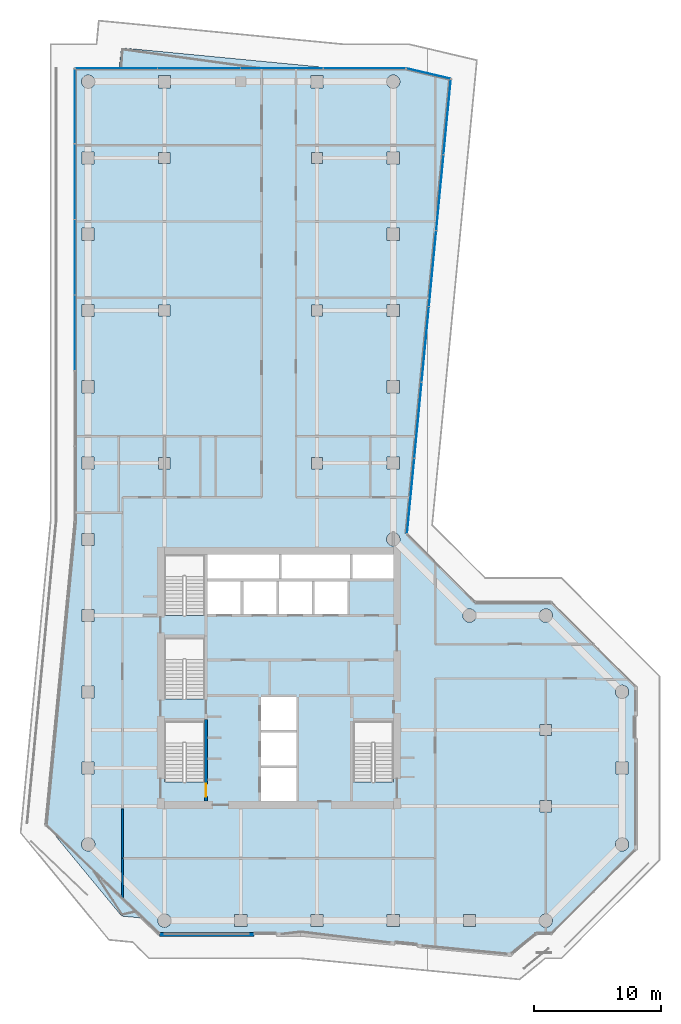
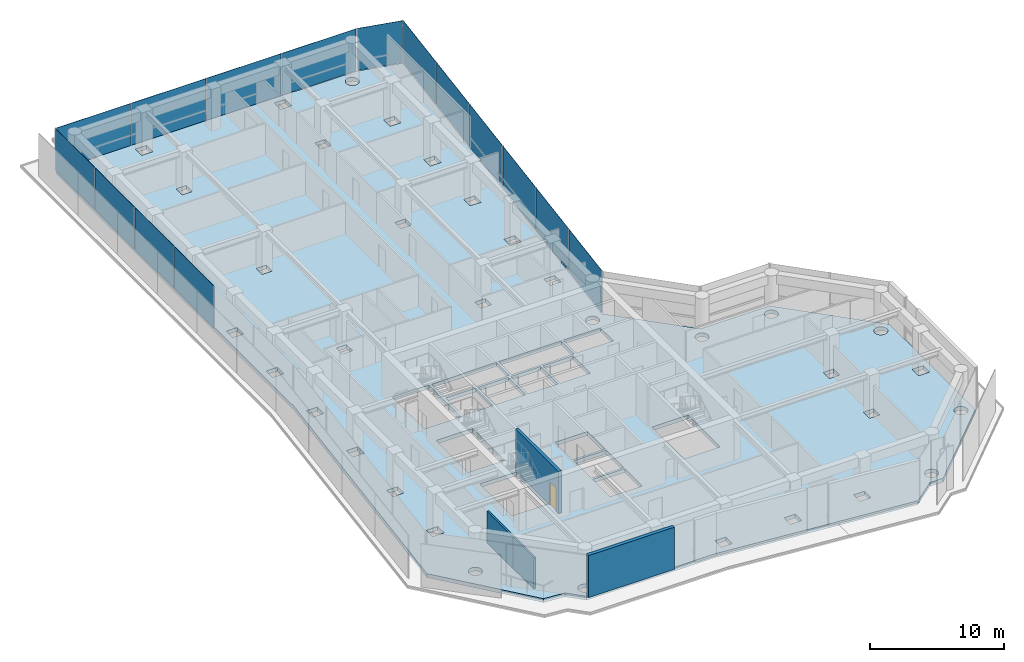
# One storey, part 18 of 23: 15 plates, 4 walls, 1 door, 1 slab, 1 opening, 4 elements without a shape of their own.
"""IFC4 building model written with IfcOpenShell, lengths in metres."""

from ifc_helpers import new_model, si_unit, direction, frame, frame_2d, origin, origin_2d, place, context, subcontext, project, spatial, polyline, rectangle, outline, extrude, material, layer, layer_set, type_object, element, fill, aggregate, save


model = new_model("IFC4")

# Units and contexts
model_context = context("Model", 3, precision=1e-05, world=origin(), true_north=direction((0.0, 1.0)))
body_context = subcontext(model_context, "Body", "Model", "MODEL_VIEW")
ifc_project = project(units=[si_unit("LENGTHUNIT", "METRE"), si_unit("AREAUNIT", "SQUARE_METRE"), si_unit("VOLUMEUNIT", "CUBIC_METRE"), si_unit("PLANEANGLEUNIT", "RADIAN"), si_unit("MASSUNIT", "GRAM", prefix="KILO")], contexts=[model_context])

# Site, building, storey
site_placement = place(None, origin())
site = spatial("IfcSite", under=ifc_project, at=site_placement, CompositionType="ELEMENT")
building_placement = place(site_placement, origin())
building = spatial("IfcBuilding", under=site, at=building_placement, Name="Welwitschia Terrace Campus", CompositionType="ELEMENT")
storey_placement = place(building_placement, frame((0.0, 0.0, 146.60009765625)))
storey = spatial("IfcBuildingStorey", under=building, at=storey_placement, Name="L32", CompositionType="ELEMENT", Elevation=146.60009765625)

# Curtain wall, plates
ifc_material_1 = material(Name="Bronze anodised aluminium", Category="aluminium")
ifc_layer_1 = layer(ifc_material_1, 0.1201171875)
ifc_layer_set_1 = layer_set([ifc_layer_1], Name="Bronze anodised aluminium")
curtain_wall_type = type_object("IfcCurtainWallType", Name="Curtain wall CW2 tower 6000", PredefinedType="NOTDEFINED", material=ifc_layer_set_1)
curtain_wall_1_placement = place(storey_placement, origin())
curtain_wall_1 = element("IfcCurtainWall", 1, at=curtain_wall_1_placement, inside=storey, type_object=curtain_wall_type, Name="CW L32.0.0", PredefinedType="NOTDEFINED")
ifc_material_2 = material(Name="Tinted bronze-grey glass", Category="glass")
ifc_layer_2 = layer(ifc_material_2, 0.028076171875)
ifc_layer_set_2 = layer_set([ifc_layer_2], Name="Tinted bronze-grey glass")
plate_type = type_object("IfcPlateType", Name="Glass panel 28 tinted", PredefinedType="CURTAIN_PANEL", material=ifc_layer_set_2)
plate_1_placement = place(storey_placement, frame((-1.05810546875, 60.0693359375, -0.000244140625), z_axis=(0.0, 0.0, 1.0), x_axis=(0.0, -1.0, 0.0)))
plate_1 = element("IfcPlate", 2, at=plate_1_placement, type_object=plate_type, Name="Panel L32.0.0.0", PredefinedType="CURTAIN_PANEL", context=body_context, shape_type="SweptSolid", body=[
    extrude(rectangle(XDim=5.857177734375, YDim=0.028076171875, at=origin_2d()), origin(), (0.0, 0.0, 1.0), 3.85009765625),
])
plate_2_placement = place(storey_placement, frame((-1.05810546875, 54.13720703125, -0.000244140625), z_axis=(0.0, 0.0, 1.0), x_axis=(0.0, -1.0, 0.0)))
plate_2 = element("IfcPlate", 3, at=plate_2_placement, type_object=plate_type, Name="Panel L32.0.0.1", PredefinedType="CURTAIN_PANEL", context=body_context, shape_type="SweptSolid", body=[
    extrude(rectangle(XDim=5.88720703125, YDim=0.028076171875, at=origin_2d()), origin(), (0.0, 0.0, 1.0), 3.85009765625),
])
plate_3_placement = place(storey_placement, frame((-1.05810546875, 48.18994140625, -0.000244140625), z_axis=(0.0, 0.0, 1.0), x_axis=(0.0, -1.0, 0.0)))
plate_3 = element("IfcPlate", 4, at=plate_3_placement, type_object=plate_type, Name="Panel L32.0.0.2", PredefinedType="CURTAIN_PANEL", context=body_context, shape_type="SweptSolid", body=[
    extrude(rectangle(XDim=5.88720703125, YDim=0.028076171875, at=origin_2d()), origin(), (0.0, 0.0, 1.0), 3.85009765625),
])
plate_4_placement = place(storey_placement, frame((-1.05810546875, 42.242919921875, -0.000244140625), z_axis=(0.0, 0.0, 1.0), x_axis=(0.0, -1.0, 0.0)))
plate_4 = element("IfcPlate", 5, at=plate_4_placement, type_object=plate_type, Name="Panel L32.0.0.3", PredefinedType="CURTAIN_PANEL", context=body_context, shape_type="SweptSolid", body=[
    extrude(rectangle(XDim=5.88720703125, YDim=0.028076171875, at=origin_2d()), origin(), (0.0, 0.0, 1.0), 3.85009765625),
])
aggregate(curtain_wall_1, [plate_1, plate_2, plate_3, plate_4])

curtain_wall_2_placement = place(storey_placement, origin())
curtain_wall_2 = element("IfcCurtainWall", 6, at=curtain_wall_2_placement, inside=storey, type_object=curtain_wall_type, Name="CW L32.12.0", PredefinedType="NOTDEFINED")
plate_5_placement = place(storey_placement, frame((25.374755859375, 29.409912109375, -0.000244140625), z_axis=(0.0, 0.0, 1.0), x_axis=(0.09584575252, 0.995396198367, 0.0)))
plate_5 = element("IfcPlate", 7, at=plate_5_placement, type_object=plate_type, Name="Panel L32.12.0.0", PredefinedType="CURTAIN_PANEL", context=body_context, shape_type="SweptSolid", body=[
    extrude(rectangle(XDim=5.906982421875, YDim=0.028076171875, at=origin_2d()), origin(), (0.0, 0.0, 1.0), 3.85009765625),
])
plate_6_placement = place(storey_placement, frame((25.947998046875, 35.3642578125, -0.000244140625), z_axis=(0.0, 0.0, 1.0), x_axis=(0.09584575252, 0.995396198367, 0.0)))
plate_6 = element("IfcPlate", 8, at=plate_6_placement, type_object=plate_type, Name="Panel L32.12.0.1", PredefinedType="CURTAIN_PANEL", context=body_context, shape_type="SweptSolid", body=[
    extrude(rectangle(XDim=5.93701171875, YDim=0.028076171875, at=origin_2d()), origin(), (0.0, 0.0, 1.0), 3.85009765625),
])
plate_7_placement = place(storey_placement, frame((26.52294921875, 41.33349609375, -0.000244140625), z_axis=(0.0, 0.0, 1.0), x_axis=(0.09584575252, 0.995396198367, 0.0)))
plate_7 = element("IfcPlate", 9, at=plate_7_placement, type_object=plate_type, Name="Panel L32.12.0.2", PredefinedType="CURTAIN_PANEL", context=body_context, shape_type="SweptSolid", body=[
    extrude(rectangle(XDim=5.93701171875, YDim=0.028076171875, at=origin_2d()), origin(), (0.0, 0.0, 1.0), 3.85009765625),
])
plate_8_placement = place(storey_placement, frame((27.09765625, 47.302978515625, -0.000244140625), z_axis=(0.0, 0.0, 1.0), x_axis=(0.09584575252, 0.995396198367, 0.0)))
plate_8 = element("IfcPlate", 10, at=plate_8_placement, type_object=plate_type, Name="Panel L32.12.0.3", PredefinedType="CURTAIN_PANEL", context=body_context, shape_type="SweptSolid", body=[
    extrude(rectangle(XDim=5.93701171875, YDim=0.028076171875, at=origin_2d()), origin(), (0.0, 0.0, 1.0), 3.85009765625),
])
plate_9_placement = place(storey_placement, frame((27.67236328125, 53.272216796875, -0.000244140625), z_axis=(0.0, 0.0, 1.0), x_axis=(0.09584575252, 0.995396198367, 0.0)))
plate_9 = element("IfcPlate", 11, at=plate_9_placement, type_object=plate_type, Name="Panel L32.12.0.4", PredefinedType="CURTAIN_PANEL", context=body_context, shape_type="SweptSolid", body=[
    extrude(rectangle(XDim=5.93701171875, YDim=0.028076171875, at=origin_2d()), origin(), (0.0, 0.0, 1.0), 3.85009765625),
])
plate_10_placement = place(storey_placement, frame((28.245849609375, 59.2265625, -0.000244140625), z_axis=(0.0, 0.0, 1.0), x_axis=(0.09584575252, 0.995396198367, 0.0)))
plate_10 = element("IfcPlate", 12, at=plate_10_placement, type_object=plate_type, Name="Panel L32.12.0.5", PredefinedType="CURTAIN_PANEL", context=body_context, shape_type="SweptSolid", body=[
    extrude(rectangle(XDim=5.906982421875, YDim=0.028076171875, at=origin_2d()), origin(), (0.0, 0.0, 1.0), 3.85009765625),
])
aggregate(curtain_wall_2, [plate_5, plate_6, plate_7, plate_8, plate_9, plate_10])

# Curtain wall, plate
curtain_wall_3_placement = place(storey_placement, origin())
curtain_wall_3 = element("IfcCurtainWall", 13, at=curtain_wall_3_placement, inside=storey, type_object=curtain_wall_type, Name="CW L32.13.0", PredefinedType="NOTDEFINED")
plate_11_placement = place(storey_placement, frame((26.770751953125, 62.64208984375, -0.000244140625), z_axis=(0.0, 0.0, 1.0), x_axis=(-0.973308833328, 0.229499270075, 0.0)))
plate_11 = element("IfcPlate", 14, at=plate_11_placement, type_object=plate_type, Name="Panel L32.13.0.0", PredefinedType="CURTAIN_PANEL", context=body_context, shape_type="SweptSolid", body=[
    extrude(rectangle(XDim=3.504638671875, YDim=0.028076171875, at=origin_2d()), origin(), (0.0, 0.0, 1.0), 3.85009765625),
])
aggregate(curtain_wall_3, [plate_11])

# Curtain wall, plates
curtain_wall_4_placement = place(storey_placement, origin())
curtain_wall_4 = element("IfcCurtainWall", 15, at=curtain_wall_4_placement, inside=storey, type_object=curtain_wall_type, Name="CW L32.14.0", PredefinedType="NOTDEFINED")
plate_12_placement = place(storey_placement, frame((21.733642578125, 63.05810546875, -0.000244140625), z_axis=(0.0, 0.0, 1.0), x_axis=(-1.0, 0.0, 0.0)))
plate_12 = element("IfcPlate", 16, at=plate_12_placement, type_object=plate_type, Name="Panel L32.14.0.0", PredefinedType="CURTAIN_PANEL", context=body_context, shape_type="SweptSolid", body=[
    extrude(rectangle(XDim=6.42626953125, YDim=0.028076171875, at=origin_2d()), origin(), (0.0, 0.0, 1.0), 3.85009765625),
])
plate_13_placement = place(storey_placement, frame((15.232421875, 63.05810546875, -0.000244140625), z_axis=(0.0, 0.0, 1.0), x_axis=(-1.0, 0.0, 0.0)))
plate_13 = element("IfcPlate", 17, at=plate_13_placement, type_object=plate_type, Name="Panel L32.14.0.1", PredefinedType="CURTAIN_PANEL", context=body_context, shape_type="SweptSolid", body=[
    extrude(rectangle(XDim=6.456298828125, YDim=0.028076171875, at=origin_2d()), origin(), (0.0, 0.0, 1.0), 3.85009765625),
])
plate_14_placement = place(storey_placement, frame((8.71630859375, 63.05810546875, -0.000244140625), z_axis=(0.0, 0.0, 1.0), x_axis=(-1.0, 0.0, 0.0)))
plate_14 = element("IfcPlate", 18, at=plate_14_placement, type_object=plate_type, Name="Panel L32.14.0.2", PredefinedType="CURTAIN_PANEL", context=body_context, shape_type="SweptSolid", body=[
    extrude(rectangle(XDim=6.456298828125, YDim=0.028076171875, at=origin_2d()), origin(), (0.0, 0.0, 1.0), 3.85009765625),
])
plate_15_placement = place(storey_placement, frame((2.215087890625, 63.05810546875, -0.000244140625), z_axis=(0.0, 0.0, 1.0), x_axis=(-1.0, 0.0, 0.0)))
plate_15 = element("IfcPlate", 19, at=plate_15_placement, type_object=plate_type, Name="Panel L32.14.0.3", PredefinedType="CURTAIN_PANEL", context=body_context, shape_type="SweptSolid", body=[
    extrude(rectangle(XDim=6.42626953125, YDim=0.028076171875, at=origin_2d()), origin(), (0.0, 0.0, 1.0), 3.85009765625),
])
aggregate(curtain_wall_4, [plate_12, plate_13, plate_14, plate_15])

# Slab
ifc_material_3 = material(Name="Concrete C40/50", Category="concrete")
ifc_layer_3 = layer(ifc_material_3, 0.35009765625)
ifc_layer_set_3 = layer_set([ifc_layer_3], Name="Concrete C40/50")
slab_type = type_object("IfcSlabType", Name="Suspended floor slab 350", PredefinedType="FLOOR", material=ifc_layer_set_3)
slab_placement = place(storey_placement, frame((0.0, 0.0, -0.35009765625)))
element("IfcSlab", 20, at=slab_placement, inside=storey, type_object=slab_type, Name="Floor slab L32", PredefinedType="FLOOR", context=body_context, shape_type="SweptSolid", body=[
    extrude(outline(polyline([(2.4306640625, 63.0), (2.591796875, 64.67333984375), (19.9697265625, 63.0), (25.0, 63.0), (28.471923828125, 62.181396484375), (25.025634765625, 26.388671875), (30.414306640625, 21.0), (36.414306640625, 21.0), (43.0, 14.414306640625), (43.0, 1.585693359375), (36.414306640625, -5.0), (35.256591796875, -5.0), (33.316162109375, -6.599609375), (16.703369140625, -5.0), (5.585693359375, -5.0), (4.401123046875, -3.8154296875), (2.629638671875, -3.644775390625), (-3.294677734375, 3.541748046875), (-1.0, 27.3720703125), (-1.0, 63.0), (2.4306640625, 63.0)]), holes=[polyline([(6.371337890625, -4.371337890625), (6.4365234375, -4.291748046875), (6.485107421875, -4.200927734375), (6.514892578125, -4.1025390625), (6.52490234375, -4.0), (6.514892578125, -3.8974609375), (6.485107421875, -3.799072265625), (6.4365234375, -3.708251953125), (6.371337890625, -3.628662109375), (6.291748046875, -3.5634765625), (6.200927734375, -3.514892578125), (6.1025390625, -3.485107421875), (6.0, -3.47509765625), (5.8974609375, -3.485107421875), (5.799072265625, -3.514892578125), (5.708251953125, -3.5634765625), (5.628662109375, -3.628662109375), (5.5634765625, -3.708251953125), (5.514892578125, -3.799072265625), (5.485107421875, -3.8974609375), (5.47509765625, -4.0), (5.485107421875, -4.1025390625), (5.514892578125, -4.200927734375), (5.5634765625, -4.291748046875), (5.628662109375, -4.371337890625), (5.708251953125, -4.4365234375), (5.799072265625, -4.485107421875), (5.8974609375, -4.514892578125), (6.0, -4.52490234375), (6.1025390625, -4.514892578125), (6.200927734375, -4.485107421875), (6.291748046875, -4.4365234375), (6.371337890625, -4.371337890625)]), polyline([(0.291748046875, 1.5634765625), (0.371337890625, 1.628662109375), (0.4365234375, 1.708251953125), (0.485107421875, 1.799072265625), (0.514892578125, 1.8974609375), (0.52490234375, 2.0), (0.514892578125, 2.1025390625), (0.485107421875, 2.200927734375), (0.4365234375, 2.291748046875), (0.371337890625, 2.371337890625), (0.291748046875, 2.4365234375), (0.200927734375, 2.485107421875), (0.1025390625, 2.514892578125), (0.0, 2.52490234375), (-0.1025390625, 2.514892578125), (-0.200927734375, 2.485107421875), (-0.291748046875, 2.4365234375), (-0.371337890625, 2.371337890625), (-0.4365234375, 2.291748046875), (-0.485107421875, 2.200927734375), (-0.514892578125, 2.1025390625), (-0.52490234375, 2.0), (-0.514892578125, 1.8974609375), (-0.485107421875, 1.799072265625), (-0.4365234375, 1.708251953125), (-0.371337890625, 1.628662109375), (-0.291748046875, 1.5634765625), (-0.200927734375, 1.514892578125), (-0.1025390625, 1.485107421875), (0.0, 1.47509765625), (0.1025390625, 1.485107421875), (0.200927734375, 1.514892578125), (0.291748046875, 1.5634765625)]), polyline([(-0.47509765625, 7.52490234375), (0.47509765625, 7.52490234375), (0.47509765625, 8.47509765625), (-0.47509765625, 8.47509765625), (-0.47509765625, 7.52490234375)]), polyline([(0.47509765625, 13.52490234375), (0.47509765625, 14.47509765625), (-0.47509765625, 14.47509765625), (-0.47509765625, 13.52490234375), (0.47509765625, 13.52490234375)]), polyline([(6.0, 13.451904296875), (9.14990234375, 13.451904296875), (9.14990234375, 18.25), (6.0, 18.25), (6.0, 13.451904296875)]), polyline([(-0.47509765625, 19.52490234375), (0.47509765625, 19.52490234375), (0.47509765625, 20.47509765625), (-0.47509765625, 20.47509765625), (-0.47509765625, 19.52490234375)]), polyline([(9.14990234375, 20.001953125), (9.14990234375, 24.800048828125), (6.0, 24.800048828125), (6.0, 20.001953125), (9.14990234375, 20.001953125)]), polyline([(-0.47509765625, 25.52490234375), (0.47509765625, 25.52490234375), (0.47509765625, 26.47509765625), (-0.47509765625, 26.47509765625), (-0.47509765625, 25.52490234375)]), polyline([(-0.47509765625, 31.52490234375), (0.47509765625, 31.52490234375), (0.47509765625, 32.47509765625), (-0.47509765625, 32.47509765625), (-0.47509765625, 31.52490234375)]), polyline([(5.550048828125, 31.550048828125), (6.449951171875, 31.550048828125), (6.449951171875, 32.449951171875), (5.550048828125, 32.449951171875), (5.550048828125, 31.550048828125)]), polyline([(-0.47509765625, 37.52490234375), (0.47509765625, 37.52490234375), (0.47509765625, 38.47509765625), (-0.47509765625, 38.47509765625), (-0.47509765625, 37.52490234375)]), polyline([(-0.47509765625, 43.52490234375), (0.47509765625, 43.52490234375), (0.47509765625, 44.47509765625), (-0.47509765625, 44.47509765625), (-0.47509765625, 43.52490234375)]), polyline([(5.550048828125, 43.550048828125), (6.449951171875, 43.550048828125), (6.449951171875, 44.449951171875), (5.550048828125, 44.449951171875), (5.550048828125, 43.550048828125)]), polyline([(0.47509765625, 49.52490234375), (0.47509765625, 50.47509765625), (-0.47509765625, 50.47509765625), (-0.47509765625, 49.52490234375), (0.47509765625, 49.52490234375)]), polyline([(-0.47509765625, 55.52490234375), (0.47509765625, 55.52490234375), (0.47509765625, 56.47509765625), (-0.47509765625, 56.47509765625), (-0.47509765625, 55.52490234375)]), polyline([(5.550048828125, 55.550048828125), (6.449951171875, 55.550048828125), (6.449951171875, 56.449951171875), (5.550048828125, 56.449951171875), (5.550048828125, 55.550048828125)]), polyline([(0.371337890625, 61.628662109375), (0.4365234375, 61.708251953125), (0.485107421875, 61.799072265625), (0.514892578125, 61.8974609375), (0.52490234375, 62.0), (0.514892578125, 62.1025390625), (0.485107421875, 62.200927734375), (0.4365234375, 62.291748046875), (0.371337890625, 62.371337890625), (0.291748046875, 62.4365234375), (0.200927734375, 62.485107421875), (0.1025390625, 62.514892578125), (0.0, 62.52490234375), (-0.1025390625, 62.514892578125), (-0.200927734375, 62.485107421875), (-0.291748046875, 62.4365234375), (-0.371337890625, 62.371337890625), (-0.4365234375, 62.291748046875), (-0.485107421875, 62.200927734375), (-0.514892578125, 62.1025390625), (-0.52490234375, 62.0), (-0.514892578125, 61.8974609375), (-0.485107421875, 61.799072265625), (-0.4365234375, 61.708251953125), (-0.371337890625, 61.628662109375), (-0.291748046875, 61.5634765625), (-0.200927734375, 61.514892578125), (-0.1025390625, 61.485107421875), (0.0, 61.47509765625), (0.1025390625, 61.485107421875), (0.200927734375, 61.514892578125), (0.291748046875, 61.5634765625), (0.371337890625, 61.628662109375)]), polyline([(5.52490234375, 61.52490234375), (6.47509765625, 61.52490234375), (6.47509765625, 62.47509765625), (5.52490234375, 62.47509765625), (5.52490234375, 61.52490234375)]), polyline([(11.52490234375, -4.47509765625), (12.47509765625, -4.47509765625), (12.47509765625, -3.52490234375), (11.52490234375, -3.52490234375), (11.52490234375, -4.47509765625)]), polyline([(18.47509765625, -4.47509765625), (18.47509765625, -3.52490234375), (17.52490234375, -3.52490234375), (17.52490234375, -4.47509765625), (18.47509765625, -4.47509765625)]), polyline([(13.60009765625, 5.39990234375), (16.39990234375, 5.39990234375), (16.39990234375, 8.0), (13.60009765625, 8.0), (13.60009765625, 5.39990234375)]), polyline([(6.0, 6.902099609375), (9.14990234375, 6.902099609375), (9.14990234375, 11.699951171875), (6.0, 11.699951171875), (6.0, 6.902099609375)]), polyline([(20.85009765625, 6.902099609375), (24.0, 6.902099609375), (24.0, 11.699951171875), (20.85009765625, 11.699951171875), (20.85009765625, 6.902099609375)]), polyline([(13.60009765625, 8.199951171875), (16.39990234375, 8.199951171875), (16.39990234375, 10.800048828125), (13.60009765625, 10.800048828125), (13.60009765625, 8.199951171875)]), polyline([(13.60009765625, 11.0), (16.39990234375, 11.0), (16.39990234375, 13.60009765625), (13.60009765625, 13.60009765625), (13.60009765625, 11.0)]), polyline([(9.39990234375, 20.10009765625), (12.0, 20.10009765625), (12.0, 22.699951171875), (9.39990234375, 22.699951171875), (9.39990234375, 20.10009765625)]), polyline([(20.39990234375, 20.10009765625), (20.39990234375, 22.699951171875), (17.800048828125, 22.699951171875), (17.800048828125, 20.10009765625), (20.39990234375, 20.10009765625)]), polyline([(15.0, 20.10009765625), (17.60009765625, 20.10009765625), (17.60009765625, 22.699951171875), (15.0, 22.699951171875), (15.0, 20.10009765625)]), polyline([(12.199951171875, 20.10009765625), (14.800048828125, 20.10009765625), (14.800048828125, 22.699951171875), (12.199951171875, 22.699951171875), (12.199951171875, 20.10009765625)]), polyline([(20.60009765625, 22.89990234375), (20.60009765625, 24.800048828125), (15.199951171875, 24.800048828125), (15.199951171875, 22.89990234375), (20.60009765625, 22.89990234375)]), polyline([(20.800048828125, 22.89990234375), (24.0, 22.89990234375), (24.0, 24.800048828125), (20.800048828125, 24.800048828125), (20.800048828125, 22.89990234375)]), polyline([(9.39990234375, 22.89990234375), (15.0, 22.89990234375), (15.0, 24.800048828125), (9.39990234375, 24.800048828125), (9.39990234375, 22.89990234375)]), polyline([(18.449951171875, 31.550048828125), (18.449951171875, 32.449951171875), (17.550048828125, 32.449951171875), (17.550048828125, 31.550048828125), (18.449951171875, 31.550048828125)]), polyline([(17.550048828125, 43.550048828125), (18.449951171875, 43.550048828125), (18.449951171875, 44.449951171875), (17.550048828125, 44.449951171875), (17.550048828125, 43.550048828125)]), polyline([(17.550048828125, 55.550048828125), (18.449951171875, 55.550048828125), (18.449951171875, 56.449951171875), (17.550048828125, 56.449951171875), (17.550048828125, 55.550048828125)]), polyline([(17.52490234375, 61.52490234375), (18.47509765625, 61.52490234375), (18.47509765625, 62.47509765625), (17.52490234375, 62.47509765625), (17.52490234375, 61.52490234375)]), polyline([(36.291748046875, -4.4365234375), (36.371337890625, -4.371337890625), (36.4365234375, -4.291748046875), (36.485107421875, -4.200927734375), (36.514892578125, -4.1025390625), (36.52490234375, -4.0), (36.514892578125, -3.8974609375), (36.485107421875, -3.799072265625), (36.4365234375, -3.708251953125), (36.371337890625, -3.628662109375), (36.291748046875, -3.5634765625), (36.200927734375, -3.514892578125), (36.1025390625, -3.485107421875), (36.0, -3.47509765625), (35.8974609375, -3.485107421875), (35.799072265625, -3.514892578125), (35.708251953125, -3.5634765625), (35.628662109375, -3.628662109375), (35.5634765625, -3.708251953125), (35.514892578125, -3.799072265625), (35.485107421875, -3.8974609375), (35.47509765625, -4.0), (35.485107421875, -4.1025390625), (35.514892578125, -4.200927734375), (35.5634765625, -4.291748046875), (35.628662109375, -4.371337890625), (35.708251953125, -4.4365234375), (35.799072265625, -4.485107421875), (35.8974609375, -4.514892578125), (36.0, -4.52490234375), (36.1025390625, -4.514892578125), (36.200927734375, -4.485107421875), (36.291748046875, -4.4365234375)]), polyline([(29.52490234375, -4.47509765625), (30.47509765625, -4.47509765625), (30.47509765625, -3.52490234375), (29.52490234375, -3.52490234375), (29.52490234375, -4.47509765625)]), polyline([(23.52490234375, -4.47509765625), (24.47509765625, -4.47509765625), (24.47509765625, -3.52490234375), (23.52490234375, -3.52490234375), (23.52490234375, -4.47509765625)]), polyline([(42.371337890625, 1.628662109375), (42.4365234375, 1.708251953125), (42.485107421875, 1.799072265625), (42.514892578125, 1.8974609375), (42.52490234375, 2.0), (42.514892578125, 2.1025390625), (42.485107421875, 2.200927734375), (42.4365234375, 2.291748046875), (42.371337890625, 2.371337890625), (42.291748046875, 2.4365234375), (42.200927734375, 2.485107421875), (42.1025390625, 2.514892578125), (42.0, 2.52490234375), (41.8974609375, 2.514892578125), (41.799072265625, 2.485107421875), (41.708251953125, 2.4365234375), (41.628662109375, 2.371337890625), (41.5634765625, 2.291748046875), (41.514892578125, 2.200927734375), (41.485107421875, 2.1025390625), (41.47509765625, 2.0), (41.485107421875, 1.8974609375), (41.514892578125, 1.799072265625), (41.5634765625, 1.708251953125), (41.628662109375, 1.628662109375), (41.708251953125, 1.5634765625), (41.799072265625, 1.514892578125), (41.8974609375, 1.485107421875), (42.0, 1.47509765625), (42.1025390625, 1.485107421875), (42.200927734375, 1.514892578125), (42.291748046875, 1.5634765625), (42.371337890625, 1.628662109375)]), polyline([(35.550048828125, 4.550048828125), (36.449951171875, 4.550048828125), (36.449951171875, 5.449951171875), (35.550048828125, 5.449951171875), (35.550048828125, 4.550048828125)]), polyline([(41.52490234375, 7.52490234375), (42.47509765625, 7.52490234375), (42.47509765625, 8.47509765625), (41.52490234375, 8.47509765625), (41.52490234375, 7.52490234375)]), polyline([(35.550048828125, 10.550048828125), (36.449951171875, 10.550048828125), (36.449951171875, 11.449951171875), (35.550048828125, 11.449951171875), (35.550048828125, 10.550048828125)]), polyline([(42.291748046875, 13.5634765625), (42.371337890625, 13.628662109375), (42.4365234375, 13.708251953125), (42.485107421875, 13.799072265625), (42.514892578125, 13.8974609375), (42.52490234375, 14.0), (42.514892578125, 14.1025390625), (42.485107421875, 14.200927734375), (42.4365234375, 14.291748046875), (42.371337890625, 14.371337890625), (42.291748046875, 14.4365234375), (42.200927734375, 14.485107421875), (42.1025390625, 14.514892578125), (42.0, 14.52490234375), (41.8974609375, 14.514892578125), (41.799072265625, 14.485107421875), (41.708251953125, 14.4365234375), (41.628662109375, 14.371337890625), (41.5634765625, 14.291748046875), (41.514892578125, 14.200927734375), (41.485107421875, 14.1025390625), (41.47509765625, 14.0), (41.485107421875, 13.8974609375), (41.514892578125, 13.799072265625), (41.5634765625, 13.708251953125), (41.628662109375, 13.628662109375), (41.708251953125, 13.5634765625), (41.799072265625, 13.514892578125), (41.8974609375, 13.485107421875), (42.0, 13.47509765625), (42.1025390625, 13.485107421875), (42.200927734375, 13.514892578125), (42.291748046875, 13.5634765625)]), polyline([(30.291748046875, 19.5634765625), (30.371337890625, 19.628662109375), (30.4365234375, 19.708251953125), (30.485107421875, 19.799072265625), (30.514892578125, 19.8974609375), (30.52490234375, 20.0), (30.514892578125, 20.1025390625), (30.485107421875, 20.200927734375), (30.4365234375, 20.291748046875), (30.371337890625, 20.371337890625), (30.291748046875, 20.4365234375), (30.200927734375, 20.485107421875), (30.1025390625, 20.514892578125), (30.0, 20.52490234375), (29.8974609375, 20.514892578125), (29.799072265625, 20.485107421875), (29.708251953125, 20.4365234375), (29.628662109375, 20.371337890625), (29.5634765625, 20.291748046875), (29.514892578125, 20.200927734375), (29.485107421875, 20.1025390625), (29.47509765625, 20.0), (29.485107421875, 19.8974609375), (29.514892578125, 19.799072265625), (29.5634765625, 19.708251953125), (29.628662109375, 19.628662109375), (29.708251953125, 19.5634765625), (29.799072265625, 19.514892578125), (29.8974609375, 19.485107421875), (30.0, 19.47509765625), (30.1025390625, 19.485107421875), (30.200927734375, 19.514892578125), (30.291748046875, 19.5634765625)]), polyline([(36.291748046875, 19.5634765625), (36.371337890625, 19.628662109375), (36.4365234375, 19.708251953125), (36.485107421875, 19.799072265625), (36.514892578125, 19.8974609375), (36.52490234375, 20.0), (36.514892578125, 20.1025390625), (36.485107421875, 20.200927734375), (36.4365234375, 20.291748046875), (36.371337890625, 20.371337890625), (36.291748046875, 20.4365234375), (36.200927734375, 20.485107421875), (36.1025390625, 20.514892578125), (36.0, 20.52490234375), (35.8974609375, 20.514892578125), (35.799072265625, 20.485107421875), (35.708251953125, 20.4365234375), (35.628662109375, 20.371337890625), (35.5634765625, 20.291748046875), (35.514892578125, 20.200927734375), (35.485107421875, 20.1025390625), (35.47509765625, 20.0), (35.485107421875, 19.8974609375), (35.514892578125, 19.799072265625), (35.5634765625, 19.708251953125), (35.628662109375, 19.628662109375), (35.708251953125, 19.5634765625), (35.799072265625, 19.514892578125), (35.8974609375, 19.485107421875), (36.0, 19.47509765625), (36.1025390625, 19.485107421875), (36.200927734375, 19.514892578125), (36.291748046875, 19.5634765625)]), polyline([(24.371337890625, 25.628662109375), (24.4365234375, 25.708251953125), (24.485107421875, 25.799072265625), (24.514892578125, 25.8974609375), (24.52490234375, 26.0), (24.514892578125, 26.1025390625), (24.485107421875, 26.200927734375), (24.4365234375, 26.291748046875), (24.371337890625, 26.371337890625), (24.291748046875, 26.4365234375), (24.200927734375, 26.485107421875), (24.1025390625, 26.514892578125), (24.0, 26.52490234375), (23.8974609375, 26.514892578125), (23.799072265625, 26.485107421875), (23.708251953125, 26.4365234375), (23.628662109375, 26.371337890625), (23.5634765625, 26.291748046875), (23.514892578125, 26.200927734375), (23.485107421875, 26.1025390625), (23.47509765625, 26.0), (23.485107421875, 25.8974609375), (23.514892578125, 25.799072265625), (23.5634765625, 25.708251953125), (23.628662109375, 25.628662109375), (23.708251953125, 25.5634765625), (23.799072265625, 25.514892578125), (23.8974609375, 25.485107421875), (24.0, 25.47509765625), (24.1025390625, 25.485107421875), (24.200927734375, 25.514892578125), (24.291748046875, 25.5634765625), (24.371337890625, 25.628662109375)]), polyline([(23.52490234375, 31.52490234375), (24.47509765625, 31.52490234375), (24.47509765625, 32.47509765625), (23.52490234375, 32.47509765625), (23.52490234375, 31.52490234375)]), polyline([(23.52490234375, 37.52490234375), (24.47509765625, 37.52490234375), (24.47509765625, 38.47509765625), (23.52490234375, 38.47509765625), (23.52490234375, 37.52490234375)]), polyline([(23.52490234375, 43.52490234375), (24.47509765625, 43.52490234375), (24.47509765625, 44.47509765625), (23.52490234375, 44.47509765625), (23.52490234375, 43.52490234375)]), polyline([(23.52490234375, 49.52490234375), (24.47509765625, 49.52490234375), (24.47509765625, 50.47509765625), (23.52490234375, 50.47509765625), (23.52490234375, 49.52490234375)]), polyline([(23.52490234375, 55.52490234375), (24.47509765625, 55.52490234375), (24.47509765625, 56.47509765625), (23.52490234375, 56.47509765625), (23.52490234375, 55.52490234375)]), polyline([(24.291748046875, 61.5634765625), (24.371337890625, 61.628662109375), (24.4365234375, 61.708251953125), (24.485107421875, 61.799072265625), (24.514892578125, 61.8974609375), (24.52490234375, 62.0), (24.514892578125, 62.1025390625), (24.485107421875, 62.200927734375), (24.4365234375, 62.291748046875), (24.371337890625, 62.371337890625), (24.291748046875, 62.4365234375), (24.200927734375, 62.485107421875), (24.1025390625, 62.514892578125), (24.0, 62.52490234375), (23.8974609375, 62.514892578125), (23.799072265625, 62.485107421875), (23.708251953125, 62.4365234375), (23.628662109375, 62.371337890625), (23.5634765625, 62.291748046875), (23.514892578125, 62.200927734375), (23.485107421875, 62.1025390625), (23.47509765625, 62.0), (23.485107421875, 61.8974609375), (23.514892578125, 61.799072265625), (23.5634765625, 61.708251953125), (23.628662109375, 61.628662109375), (23.708251953125, 61.5634765625), (23.799072265625, 61.514892578125), (23.8974609375, 61.485107421875), (24.0, 61.47509765625), (24.1025390625, 61.485107421875), (24.200927734375, 61.514892578125), (24.291748046875, 61.5634765625)])]), origin(), (0.0, 0.0, 1.0), 0.35009765625),
])

# Wall, opening, door
ifc_material_4 = material(Name="Concrete C50/60", Category="concrete")
ifc_layer_4 = layer(ifc_material_4, 0.25)
ifc_layer_set_4 = layer_set([ifc_layer_4], Name="Concrete C50/60")
wall_type_1 = type_object("IfcWallType", Name="Core wall 250 Concrete C50/60", PredefinedType="SHEAR", material=ifc_layer_set_4)
wall_1_placement = place(storey_placement, frame((9.27490234375, 11.824951171875, 0.0), z_axis=(0.0, 0.0, 1.0), x_axis=(0.0, -1.0, 0.0)))
wall_1 = element("IfcWall", 21, at=wall_1_placement, inside=storey, type_object=wall_type_1, Name="Core wall", PredefinedType="SHEAR", context=body_context, shape_type="SweptSolid", body=[
    extrude(rectangle(XDim=6.425048828125, YDim=0.25, at=frame_2d((3.21240234375, 0.0))), origin(), (0.0, 0.0, 1.0), 3.849853515625),
])
opening_placement = place(wall_1_placement, frame((5.074951171875, 0.0, 0.0)))
opening = element("IfcOpeningElement", 22, at=opening_placement, cuts=wall_1, Name="Opening DS10", PredefinedType="OPENING", context=body_context, shape_type="SweptSolid", body=[
    extrude(rectangle(XDim=1.0, YDim=2.10009765625, at=frame_2d((0.5, 1.050048828125))), frame((0.0, 0.135009765625, 0.0), z_axis=(0.0, -1.0, 0.0), x_axis=(1.0, 0.0, 0.0)), (0.0, 0.0, 1.0), 0.27001953125),
])
ifc_material_5 = material(Name="Steel S275", Category="steel")
door_type = type_object("IfcDoorType", Name="Core door DS10", OperationType="SINGLE_SWING_LEFT", PredefinedType="DOOR", material=ifc_material_5)
door_placement = place(opening_placement, origin())
door = element("IfcDoor", 23, at=door_placement, inside=storey, type_object=door_type, Name="Door S1-FL", OperationType="SINGLE_SWING_RIGHT", OverallHeight=2.10009765625, OverallWidth=1.0, PredefinedType="DOOR", context=body_context, shape_type="SweptSolid", body=[
    extrude(rectangle(XDim=1.0, YDim=2.10009765625, at=frame_2d((0.5, 1.050048828125))), frame((0.0, 0.02490234375, 0.0), z_axis=(0.0, -1.0, 0.0), x_axis=(1.0, 0.0, 0.0)), (0.0, 0.0, 1.0), 0.050048828125),
])
fill(opening, door)

# Walls
ifc_material_6 = material(Name="Gypsum board on steel studs", Category="steel")
ifc_layer_5 = layer(ifc_material_6, 0.14990234375)
ifc_layer_set_5 = layer_set([ifc_layer_5], Name="Gypsum board on steel studs")
wall_type_2 = type_object("IfcWallType", Name="Corridor partition 150 EI 30", PredefinedType="PARTITIONING", material=ifc_layer_set_5)
wall_2_placement = place(storey_placement, frame((2.699951171875, -2.199951171875, 0.0), z_axis=(0.0, 0.0, 1.0), x_axis=(0.0, 1.0, 0.0)))
element("IfcWall", 24, at=wall_2_placement, inside=storey, type_object=wall_type_2, Name="Partition", PredefinedType="PARTITIONING", context=body_context, shape_type="SweptSolid", body=[
    extrude(rectangle(XDim=3.099853515625, YDim=0.14990234375, at=frame_2d((1.5498046875, 0.0))), origin(), (0.0, 0.0, 1.0), 2.8798828125),
])
wall_3_placement = place(storey_placement, frame((2.699951171875, 0.89990234375, 0.0), z_axis=(0.0, 0.0, 1.0), x_axis=(0.0, 1.0, 0.0)))
element("IfcWall", 25, at=wall_3_placement, inside=storey, type_object=wall_type_2, Name="Partition", PredefinedType="PARTITIONING", context=body_context, shape_type="SweptSolid", body=[
    extrude(rectangle(XDim=3.900146484375, YDim=0.14990234375, at=frame_2d((1.9501953125, 0.0))), origin(), (0.0, 0.0, 1.0), 2.8798828125),
])
ifc_material_7 = material(Name="Concrete C40/50", Category="concrete")
ifc_layer_6 = layer(ifc_material_7, 0.300048828125)
ifc_layer_set_6 = layer_set([ifc_layer_6], Name="Concrete C40/50")
wall_type_3 = type_object("IfcWallType", Name="Mass wall 300", PredefinedType="SOLIDWALL", material=ifc_layer_set_6)
wall_4_placement = place(storey_placement, frame((5.615478515625, -5.080078125, 0.0), z_axis=(0.0, 0.0, 1.0), x_axis=(1.0, 0.0, 0.0)))
element("IfcWall", 26, at=wall_4_placement, inside=storey, type_object=wall_type_3, Name="Mass wall L32.3.0", PredefinedType="SOLIDWALL", context=body_context, shape_type="SweptSolid", body=[
    extrude(rectangle(XDim=7.413818359375, YDim=0.300048828125, at=frame_2d((3.70703125, 0.0))), origin(), (0.0, 0.0, 1.0), 3.849853515625),
])

save(model, "model.ifc")
